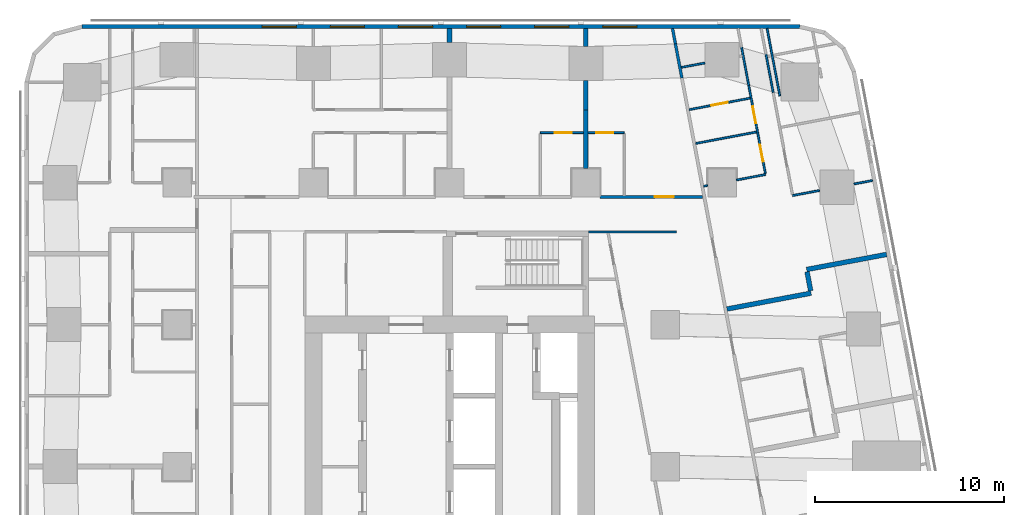
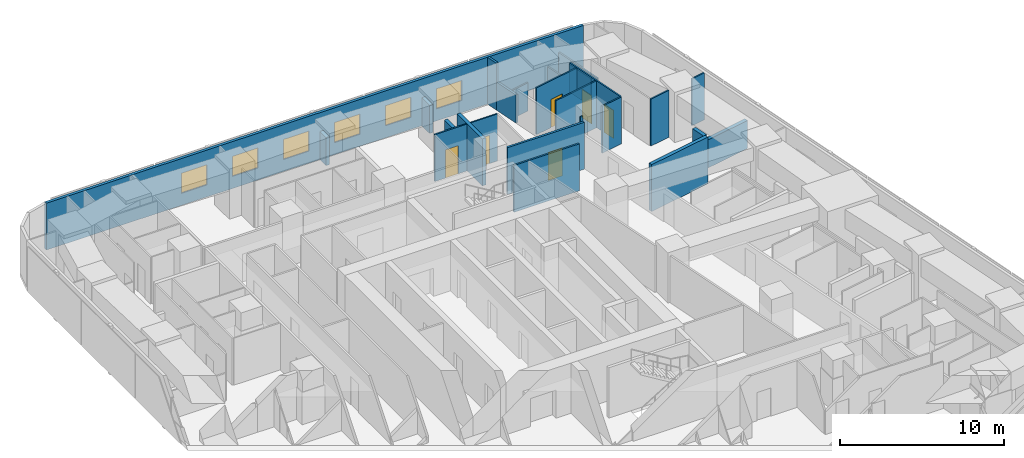
# One storey, part 10 of 15: 25 walls, 6 doors, 6 windows, 12 openings.
"""IFC4 building model written with IfcOpenShell, lengths in metres."""

import ifcopenshell
import ifcopenshell.guid

model = None  # the IFC model being written
_history = None  # IfcOwnerHistory: only IFC2X3 demands one
_inside = {}  # id of a spatial element -> (the spatial element, [elements in it])
_under = {}  # id of a project, library or spatial element -> (it, [spatial elements below it])
_declared = {}  # id of a project -> (the project, [libraries it declares])
_typed = {}  # id of a type object -> (the type object, [elements of that type])
_made_of = {}  # id of a material, layer set ... -> (it, [elements and type objects made of it])


def new_model(schema):
    """Start an empty IFC model of exactly this schema.

    Asked for "IFC4X3", IfcOpenShell would pick the latest addendum, in which some entities
    have other attributes; the version numbers below select the first issue.
    IFC2X3 requires an IfcOwnerHistory on every rooted entity: one is made here for all.
    """
    global model, _history
    if schema == "IFC4X3":
        model = ifcopenshell.file(schema_version=(4, 3, 0, 0))
    else:
        model = ifcopenshell.file(schema=schema)
    _inside.clear()
    _under.clear()
    _declared.clear()
    _typed.clear()
    _made_of.clear()
    _history = None
    if model.schema == "IFC2X3":
        org = make("IfcOrganization", Name="unknown")
        user = make(
            "IfcPersonAndOrganization",
            ThePerson=make("IfcPerson", FamilyName="unknown"),
            TheOrganization=org,
        )
        app = make(
            "IfcApplication",
            ApplicationDeveloper=org,
            Version="unknown",
            ApplicationFullName="unknown",
            ApplicationIdentifier="unknown",
        )
        _history = make(
            "IfcOwnerHistory",
            OwningUser=user,
            OwningApplication=app,
            ChangeAction="ADDED",
            CreationDate=0,
        )
    return model


def make(cls, **values):
    """One entity of the class cls with the attributes given. An attribute that is None is left unset."""
    return model.create_entity(
        cls, **{name: value for name, value in values.items() if value is not None}
    )


def rooted(cls, **values):
    """An entity with a GlobalId (a new one), such as an element, a storey or a relation."""
    return make(cls, GlobalId=ifcopenshell.guid.new(), OwnerHistory=_history, **values)


def si_unit(unit_type, name, prefix=None):
    """IfcSIUnit, for example si_unit("LENGTHUNIT", "METRE", prefix="MILLI")."""
    return make("IfcSIUnit", UnitType=unit_type, Prefix=prefix, Name=name)


def assignment(units):
    """IfcUnitAssignment: the units of a project."""
    return None if units is None else make("IfcUnitAssignment", Units=units)


def point(xyz):
    """IfcCartesianPoint."""
    return None if xyz is None else make("IfcCartesianPoint", Coordinates=xyz)


def direction(xyz):
    """IfcDirection."""
    return None if xyz is None else make("IfcDirection", DirectionRatios=xyz)


def frame(location, z_axis=None, x_axis=None):
    """IfcAxis2Placement3D, a coordinate frame: its origin and axes. An axis left out is left unset."""
    return make(
        "IfcAxis2Placement3D",
        Location=point(location),
        Axis=direction(z_axis),
        RefDirection=direction(x_axis),
    )


def frame_2d(location, x_axis=None):
    """IfcAxis2Placement2D, a coordinate frame in the plane: its origin and x axis."""
    return make(
        "IfcAxis2Placement2D", Location=point(location), RefDirection=direction(x_axis)
    )


def origin():
    """The frame at (0, 0, 0) with its axes left unset."""
    return frame((0.0, 0.0, 0.0))


def place(relative_to, where):
    """IfcLocalPlacement: puts the frame where relative to a parent placement (None: the world)."""
    return make(
        "IfcLocalPlacement", PlacementRelTo=relative_to, RelativePlacement=where
    )


def context(
    kind, dimensions, precision=None, world=None, true_north=None, identifier=None
):
    """IfcGeometricRepresentationContext, for example the 3D "Model" context."""
    return make(
        "IfcGeometricRepresentationContext",
        ContextIdentifier=identifier,
        ContextType=kind,
        CoordinateSpaceDimension=dimensions,
        Precision=precision,
        WorldCoordinateSystem=world,
        TrueNorth=true_north,
    )


def subcontext(parent, identifier, kind, view, scale=None):
    """IfcGeometricRepresentationSubContext, for example "Body" below "Model"."""
    return make(
        "IfcGeometricRepresentationSubContext",
        ContextIdentifier=identifier,
        ContextType=kind,
        ParentContext=parent,
        TargetScale=scale,
        TargetView=view,
    )


def project(units=None, contexts=None):
    """IfcProject with its units and contexts."""
    return rooted(
        "IfcProject",
        Name="project",
        RepresentationContexts=contexts,
        UnitsInContext=assignment(units),
    )


def spatial(cls, under=None, at=None, **own):
    """A site, building, storey or space (cls), placed at a placement, below another one or the project."""
    s = rooted(cls, ObjectPlacement=at, **own)
    if under is not None:
        _under.setdefault(under.id(), (under, []))[1].append(s)
    return s


def profile(cls, at=None, kind="AREA", **sizes):
    """A parametric profile (cls). Its sizes go by their IFC names, for example OverallWidth=200.0."""
    return make(cls, ProfileType=kind, Position=at, **sizes)


def rectangle(**sizes):
    """IfcRectangleProfileDef."""
    return profile("IfcRectangleProfileDef", **sizes)


def extrude(swept, where, along, depth):
    """IfcExtrudedAreaSolid: the profile swept, set in the frame where, extruded along a direction by depth."""
    return make(
        "IfcExtrudedAreaSolid",
        SweptArea=swept,
        Position=where,
        ExtrudedDirection=direction(along),
        Depth=depth,
    )


def shape(context_of_items, identifier, shape_type, items):
    """IfcShapeRepresentation: the items that make up one representation, for example the "Body"."""
    return make(
        "IfcShapeRepresentation",
        ContextOfItems=context_of_items,
        RepresentationIdentifier=identifier,
        RepresentationType=shape_type,
        Items=items,
    )


def material(Name=None, Category=None):
    """IfcMaterial."""
    return make("IfcMaterial", Name=Name, Category=Category)


def layer(
    of_material, thickness, ventilated=None, Name=None, Category=None, Priority=None
):
    """IfcMaterialLayer: one layer of a wall or slab, of a material (None: an air gap)."""
    return make(
        "IfcMaterialLayer",
        Material=of_material,
        LayerThickness=thickness,
        IsVentilated=ventilated,
        Name=Name,
        Category=Category,
        Priority=Priority,
    )


def layer_set(layers, Name=None):
    """IfcMaterialLayerSet."""
    return make("IfcMaterialLayerSet", MaterialLayers=layers, LayerSetName=Name)


def made_of(thing, what):
    """Note that an element or type object is made of a material, layer set ...; save() writes the relation."""
    if what is not None:
        _made_of.setdefault(what.id(), (what, []))[1].append(thing)
    return thing


def type_object(cls, material=None, **own):
    """A type object (cls), such as IfcWallType, which elements share."""
    return made_of(rooted(cls, **own), material)


def element(
    cls,
    number,
    at=None,
    inside=None,
    cuts=None,
    type_object=None,
    material=None,
    context=None,
    identifier="Body",
    shape_type=None,
    held_by="IfcProductDefinitionShape",
    body=None,
    shapes=None,
    **own,
):
    """One element of the class cls, such as IfcWall. Its Tag is "e" and its number.

    at: its placement. inside: the storey or other place that contains it. cuts: it is an
    opening in that element (IfcRelVoidsElement). A single representation is given by context,
    identifier, shape_type and body (its items); several are given by shapes. held_by: the class
    of the entity that holds the representations. save() writes the other relations.
    """
    e = rooted(cls, Tag="e%d" % number, ObjectPlacement=at, **own)
    if body is not None:
        shapes = [shape(context, identifier, shape_type, body)]
    if shapes is not None:
        e.Representation = make(held_by, Representations=shapes)
    if inside is not None:
        _inside.setdefault(inside.id(), (inside, []))[1].append(e)
    if cuts is not None:
        rooted(
            "IfcRelVoidsElement", RelatingBuildingElement=cuts, RelatedOpeningElement=e
        )
    if type_object is not None:
        _typed.setdefault(type_object.id(), (type_object, []))[1].append(e)
    return made_of(e, material)


def fill(opening, filler):
    """IfcRelFillsElement: the door or window that sits in an opening."""
    return rooted(
        "IfcRelFillsElement",
        RelatingOpeningElement=opening,
        RelatedBuildingElement=filler,
    )


def aggregate(whole, parts):
    """IfcRelAggregates: a whole, such as a stair, and the parts it consists of."""
    return rooted("IfcRelAggregates", RelatingObject=whole, RelatedObjects=parts)


def save(model, path):
    """Write the relations noted so far, then the file.

    IfcRelAggregates (storeys below a building ...), IfcRelContainedInSpatialStructure (elements
    in a storey), IfcRelDefinesByType, IfcRelAssociatesMaterial and IfcRelDeclares: one each for
    every whole, place, type object, material and project.
    """
    for whole, parts in _under.values():
        aggregate(whole, parts)
    for where, things in _inside.values():
        rooted(
            "IfcRelContainedInSpatialStructure",
            RelatedElements=things,
            RelatingStructure=where,
        )
    for kind, things in _typed.values():
        rooted("IfcRelDefinesByType", RelatedObjects=things, RelatingType=kind)
    for what, things in _made_of.values():
        rooted("IfcRelAssociatesMaterial", RelatedObjects=things, RelatingMaterial=what)
    for by, libraries in _declared.values():
        rooted("IfcRelDeclares", RelatingContext=by, RelatedDefinitions=libraries)
    model.write(path)


model = new_model("IFC4")

# Units and contexts
model_context = context("Model", 3, precision=1e-05, world=origin(), true_north=direction((0.0, 1.0)))
body_context = subcontext(model_context, "Body", "Model", "MODEL_VIEW")
ifc_project = project(units=[si_unit("LENGTHUNIT", "METRE"), si_unit("AREAUNIT", "SQUARE_METRE"), si_unit("VOLUMEUNIT", "CUBIC_METRE"), si_unit("PLANEANGLEUNIT", "RADIAN"), si_unit("MASSUNIT", "GRAM", prefix="KILO")], contexts=[model_context])

# Site, building, storey
site_placement = place(None, origin())
site = spatial("IfcSite", under=ifc_project, at=site_placement, CompositionType="ELEMENT")
building_placement = place(site_placement, origin())
building = spatial("IfcBuilding", under=site, at=building_placement, Name="Sheger Commons Tower", CompositionType="ELEMENT")
storey_placement = place(building_placement, frame((0.0, 0.0, 173.300048828125)))
storey = spatial("IfcBuildingStorey", under=building, at=storey_placement, Name="L44", CompositionType="ELEMENT", Elevation=173.300048828125)

# Wall, opening, door
ifc_material_1 = material(Name="Hollow concrete block masonry, skimmed both sides", Category="masonry")
ifc_layer_1 = layer(ifc_material_1, 0.14990234375)
ifc_layer_set_1 = layer_set([ifc_layer_1], Name="CORRIDOR WALL 150")
wall_type_1 = type_object("IfcWallType", Name="CORRIDOR WALL 150", PredefinedType="SOLIDWALL", material=ifc_layer_set_1)
wall_1_placement = place(storey_placement, frame((29.551025390625, 36.75, 0.0), z_axis=(0.0, 0.0, 1.0), x_axis=(1.0, 0.0, 0.0)))
wall_1 = element("IfcWall", 1, at=wall_1_placement, inside=storey, type_object=wall_type_1, Name="Corridor wall L44", PredefinedType="SOLIDWALL", context=body_context, shape_type="SweptSolid", body=[
    extrude(rectangle(XDim=5.421875, YDim=0.14990234375, at=frame_2d((2.7109375, 0.0))), origin(), (0.0, 0.0, 1.0), 3.5),
])
opening_1_placement = place(wall_1_placement, frame((2.89501953125, 0.0, 0.0)))
opening_1 = element("IfcOpeningElement", 2, at=opening_1_placement, cuts=wall_1, Name="Opening D1", PredefinedType="OPENING", context=body_context, shape_type="SweptSolid", body=[
    extrude(rectangle(XDim=1.0, YDim=2.10009765625, at=frame_2d((0.5, 1.050048828125))), frame((0.0, 0.0849609375, 0.0), z_axis=(0.0, -1.0, 0.0), x_axis=(1.0, 0.0, 0.0)), (0.0, 0.0, 1.0), 0.169921875),
])
ifc_material_2 = material(Name="Steel door set, fire rated", Category="steel")
door_type_1 = type_object("IfcDoorType", Name="FLAT ENTRANCE DOOR 1000x2100", OperationType="NOTDEFINED", PredefinedType="DOOR", material=ifc_material_2)
door_1_placement = place(opening_1_placement, origin())
door_1 = element("IfcDoor", 3, at=door_1_placement, inside=storey, type_object=door_type_1, Name="Flat entrance door", OperationType="SINGLE_SWING_RIGHT", OverallHeight=2.10009765625, OverallWidth=1.0, PredefinedType="DOOR", context=body_context, shape_type="SweptSolid", body=[
    extrude(rectangle(XDim=1.0, YDim=2.10009765625, at=frame_2d((0.5, 1.050048828125))), frame((0.0, 0.02490234375, 0.0), z_axis=(0.0, -1.0, 0.0), x_axis=(1.0, 0.0, 0.0)), (0.0, 0.0, 1.0), 0.050048828125),
])
fill(opening_1, door_1)

# Walls
wall_2_placement = place(storey_placement, frame((33.382080078125, 45.64990234375, 0.0), z_axis=(0.0, 0.0, 1.0), x_axis=(0.185169202764, -0.982706653253, 0.0)))
element("IfcWall", 4, at=wall_2_placement, inside=storey, type_object=wall_type_1, Name="Corridor wall L44", PredefinedType="SOLIDWALL", context=body_context, shape_type="SweptSolid", body=[
    extrude(rectangle(XDim=0.820068359375, YDim=0.14990234375, at=frame_2d((0.41015625, 0.0))), origin(), (0.0, 0.0, 1.0), 3.5),
])
wall_3_placement = place(storey_placement, frame((33.533935546875, 44.843994140625, 0.0), z_axis=(0.0, 0.0, 1.0), x_axis=(0.185708872674, -0.982604811005, 0.0)))
element("IfcWall", 5, at=wall_3_placement, inside=storey, type_object=wall_type_1, Name="Corridor wall L44", PredefinedType="SOLIDWALL", context=body_context, shape_type="SweptSolid", body=[
    extrude(rectangle(XDim=1.84716796875, YDim=0.14990234375, at=frame_2d((0.923583984375, 0.0))), origin(), (0.0, 0.0, 1.0), 2.099853515625),
])
ifc_material_3 = material(Name="Dense concrete block masonry, plastered both sides (separating wall between flats)", Category="masonry")
ifc_layer_2 = layer(ifc_material_3, 0.25)
ifc_layer_set_2 = layer_set([ifc_layer_2], Name="DEMISING WALL 250")
wall_type_2 = type_object("IfcWallType", Name="DEMISING WALL 250", PredefinedType="SOLIDWALL", material=ifc_layer_set_2)
wall_4_placement = place(storey_placement, frame((44.693115234375, 33.712890625, 0.0), z_axis=(0.0, 0.0, 1.0), x_axis=(-0.982633535512, -0.185556823879, 0.0)))
element("IfcWall", 6, at=wall_4_placement, inside=storey, type_object=wall_type_2, Name="Demising wall L44", PredefinedType="SOLIDWALL", context=body_context, shape_type="SweptSolid", body=[
    extrude(rectangle(XDim=4.2998046875, YDim=0.25, at=frame_2d((2.14990234375, 0.0))), origin(), (0.0, 0.0, 1.0), 2.099853515625),
])
wall_5_placement = place(storey_placement, frame((40.7041015625, 31.666015625, 0.0), z_axis=(0.0, 0.0, 1.0), x_axis=(-0.982612837616, -0.185666398014, 0.0)))
element("IfcWall", 7, at=wall_5_placement, inside=storey, type_object=wall_type_2, Name="Demising wall L44", PredefinedType="SOLIDWALL", context=body_context, shape_type="SweptSolid", body=[
    extrude(rectangle(XDim=4.524658203125, YDim=0.25, at=frame_2d((2.26220703125, 0.0))), origin(), (0.0, 0.0, 1.0), 3.5),
])
wall_6_placement = place(storey_placement, frame((40.490966796875, 32.7919921875, 0.0), z_axis=(0.0, 0.0, 1.0), x_axis=(0.18607888991, -0.982534806879, 0.0)))
element("IfcWall", 8, at=wall_6_placement, inside=storey, type_object=wall_type_2, Name="Demising wall L44", PredefinedType="SOLIDWALL", context=body_context, shape_type="SweptSolid", body=[
    extrude(rectangle(XDim=1.020751953125, YDim=0.25, at=frame_2d((0.51025390625, 0.0))), origin(), (0.0, 0.0, 1.0), 3.5),
])
wall_7_placement = place(storey_placement, frame((21.60009765625, 44.90087890625, 0.0), z_axis=(0.0, 0.0, 1.0), x_axis=(0.0, 1.0, 0.0)))
element("IfcWall", 9, at=wall_7_placement, inside=storey, type_object=wall_type_2, Name="Demising wall L44", PredefinedType="SOLIDWALL", context=body_context, shape_type="SweptSolid", body=[
    extrude(rectangle(XDim=0.7490234375, YDim=0.25, at=frame_2d((0.37451171875, 0.0))), origin(), (0.0, 0.0, 1.0), 2.099853515625),
])
wall_8_placement = place(storey_placement, frame((28.800048828125, 41.35009765625, 0.0), z_axis=(0.0, 0.0, 1.0), x_axis=(0.0, 1.0, 0.0)))
element("IfcWall", 10, at=wall_8_placement, inside=storey, type_object=wall_type_2, Name="Demising wall L44", PredefinedType="SOLIDWALL", context=body_context, shape_type="SweptSolid", body=[
    extrude(rectangle(XDim=1.548828125, YDim=0.25, at=frame_2d((0.7744140625, 0.0))), origin(), (0.0, 0.0, 1.0), 2.099853515625),
])
wall_9_placement = place(storey_placement, frame((28.800048828125, 44.700927734375, 0.0), z_axis=(0.0, 0.0, 1.0), x_axis=(0.0, 1.0, 0.0)))
element("IfcWall", 11, at=wall_9_placement, inside=storey, type_object=wall_type_2, Name="Demising wall L44", PredefinedType="SOLIDWALL", context=body_context, shape_type="SweptSolid", body=[
    extrude(rectangle(XDim=0.948974609375, YDim=0.25, at=frame_2d((0.474609375, 0.0))), origin(), (0.0, 0.0, 1.0), 2.099853515625),
])
wall_10_placement = place(storey_placement, frame((28.800048828125, 38.2509765625, 0.0), z_axis=(0.0, 0.0, 1.0), x_axis=(0.0, 1.0, 0.0)))
element("IfcWall", 12, at=wall_10_placement, inside=storey, type_object=wall_type_2, Name="Demising wall L44", PredefinedType="SOLIDWALL", context=body_context, shape_type="SweptSolid", body=[
    extrude(rectangle(XDim=3.09912109375, YDim=0.25, at=frame_2d((1.549560546875, 0.0))), origin(), (0.0, 0.0, 1.0), 3.5),
])

# Wall, openings, windows
ifc_material_4 = material(Name="Rendered concrete block masonry, dark grey", Category="masonry")
ifc_layer_3 = layer(ifc_material_4, 0.199951171875)
ifc_layer_set_3 = layer_set([ifc_layer_3], Name="FACADE WALL 200")
wall_type_3 = type_object("IfcWallType", Name="FACADE WALL 200", PredefinedType="SOLIDWALL", material=ifc_layer_set_3)
wall_11_placement = place(storey_placement, frame((40.10595703125, 45.75, 0.0), z_axis=(0.0, 0.0, 1.0), x_axis=(-1.0, 0.0, 0.0)))
wall_11 = element("IfcWall", 13, at=wall_11_placement, inside=storey, type_object=wall_type_3, Name="Facade wall L44", PredefinedType="SOLIDWALL", context=body_context, shape_type="SweptSolid", body=[
    extrude(rectangle(XDim=37.94287109375, YDim=0.199951171875, at=frame_2d((18.971435546875, 0.0))), origin(), (0.0, 0.0, 1.0), 3.5),
])
opening_2_placement = place(wall_11_placement, frame((8.60595703125, 0.0, 0.89990234375)))
opening_2 = element("IfcOpeningElement", 14, at=opening_2_placement, cuts=wall_11, Name="Opening W2", PredefinedType="OPENING", context=body_context, shape_type="SweptSolid", body=[
    extrude(rectangle(XDim=1.800048828125, YDim=1.5, at=frame_2d((0.89990234375, 0.75))), frame((0.0, 0.10986328125, 0.0), z_axis=(0.0, -1.0, 0.0), x_axis=(1.0, 0.0, 0.0)), (0.0, 0.0, 1.0), 0.219970703125),
])
opening_3_placement = place(wall_11_placement, frame((12.2060546875, 0.0, 0.89990234375)))
opening_3 = element("IfcOpeningElement", 15, at=opening_3_placement, cuts=wall_11, Name="Opening W2", PredefinedType="OPENING", context=body_context, shape_type="SweptSolid", body=[
    extrude(rectangle(XDim=1.800048828125, YDim=1.5, at=frame_2d((0.89990234375, 0.75))), frame((0.0, 0.10986328125, 0.0), z_axis=(0.0, -1.0, 0.0), x_axis=(1.0, 0.0, 0.0)), (0.0, 0.0, 1.0), 0.219970703125),
])
opening_4_placement = place(wall_11_placement, frame((15.805908203125, 0.0, 0.89990234375)))
opening_4 = element("IfcOpeningElement", 16, at=opening_4_placement, cuts=wall_11, Name="Opening W2", PredefinedType="OPENING", context=body_context, shape_type="SweptSolid", body=[
    extrude(rectangle(XDim=1.800048828125, YDim=1.5, at=frame_2d((0.89990234375, 0.75))), frame((0.0, 0.10986328125, 0.0), z_axis=(0.0, -1.0, 0.0), x_axis=(1.0, 0.0, 0.0)), (0.0, 0.0, 1.0), 0.219970703125),
])
opening_5_placement = place(wall_11_placement, frame((19.406005859375, 0.0, 0.89990234375)))
opening_5 = element("IfcOpeningElement", 17, at=opening_5_placement, cuts=wall_11, Name="Opening W2", PredefinedType="OPENING", context=body_context, shape_type="SweptSolid", body=[
    extrude(rectangle(XDim=1.800048828125, YDim=1.5, at=frame_2d((0.89990234375, 0.75))), frame((0.0, 0.10986328125, 0.0), z_axis=(0.0, -1.0, 0.0), x_axis=(1.0, 0.0, 0.0)), (0.0, 0.0, 1.0), 0.219970703125),
])
opening_6_placement = place(wall_11_placement, frame((23.006103515625, 0.0, 0.89990234375)))
opening_6 = element("IfcOpeningElement", 18, at=opening_6_placement, cuts=wall_11, Name="Opening W2", PredefinedType="OPENING", context=body_context, shape_type="SweptSolid", body=[
    extrude(rectangle(XDim=1.800048828125, YDim=1.5, at=frame_2d((0.89990234375, 0.75))), frame((0.0, 0.10986328125, 0.0), z_axis=(0.0, -1.0, 0.0), x_axis=(1.0, 0.0, 0.0)), (0.0, 0.0, 1.0), 0.219970703125),
])
opening_7_placement = place(wall_11_placement, frame((26.60595703125, 0.0, 0.89990234375)))
opening_7 = element("IfcOpeningElement", 19, at=opening_7_placement, cuts=wall_11, Name="Opening W2", PredefinedType="OPENING", context=body_context, shape_type="SweptSolid", body=[
    extrude(rectangle(XDim=1.800048828125, YDim=1.5, at=frame_2d((0.89990234375, 0.75))), frame((0.0, 0.10986328125, 0.0), z_axis=(0.0, -1.0, 0.0), x_axis=(1.0, 0.0, 0.0)), (0.0, 0.0, 1.0), 0.219970703125),
])
ifc_material_5 = material(Name="Black aluminium frame, dark tinted double glazing", Category="aluminium")
window_type = type_object("IfcWindowType", Name="WINDOW W2 1800x1500", PartitioningType="SINGLE_PANEL", PredefinedType="WINDOW", material=ifc_material_5)
window_1_placement = place(opening_2_placement, origin())
window_1 = element("IfcWindow", 20, at=window_1_placement, inside=storey, type_object=window_type, Name="Window W2 1800X1500", OverallHeight=1.5, OverallWidth=1.800048828125, PartitioningType="SINGLE_PANEL", PredefinedType="WINDOW", context=body_context, shape_type="SweptSolid", body=[
    extrude(rectangle(XDim=1.800048828125, YDim=1.5, at=frame_2d((0.89990234375, 0.75))), frame((0.0, 0.030029296875, 0.0), z_axis=(0.0, -1.0, 0.0), x_axis=(1.0, 0.0, 0.0)), (0.0, 0.0, 1.0), 0.06005859375),
])
fill(opening_2, window_1)
window_2_placement = place(opening_3_placement, origin())
window_2 = element("IfcWindow", 21, at=window_2_placement, inside=storey, type_object=window_type, Name="Window W2 1800X1500", OverallHeight=1.5, OverallWidth=1.800048828125, PartitioningType="SINGLE_PANEL", PredefinedType="WINDOW", context=body_context, shape_type="SweptSolid", body=[
    extrude(rectangle(XDim=1.800048828125, YDim=1.5, at=frame_2d((0.89990234375, 0.75))), frame((0.0, 0.030029296875, 0.0), z_axis=(0.0, -1.0, 0.0), x_axis=(1.0, 0.0, 0.0)), (0.0, 0.0, 1.0), 0.06005859375),
])
fill(opening_3, window_2)
window_3_placement = place(opening_4_placement, origin())
window_3 = element("IfcWindow", 22, at=window_3_placement, inside=storey, type_object=window_type, Name="Window W2 1800X1500", OverallHeight=1.5, OverallWidth=1.800048828125, PartitioningType="SINGLE_PANEL", PredefinedType="WINDOW", context=body_context, shape_type="SweptSolid", body=[
    extrude(rectangle(XDim=1.800048828125, YDim=1.5, at=frame_2d((0.89990234375, 0.75))), frame((0.0, 0.030029296875, 0.0), z_axis=(0.0, -1.0, 0.0), x_axis=(1.0, 0.0, 0.0)), (0.0, 0.0, 1.0), 0.06005859375),
])
fill(opening_4, window_3)
window_4_placement = place(opening_5_placement, origin())
window_4 = element("IfcWindow", 23, at=window_4_placement, inside=storey, type_object=window_type, Name="Window W2 1800X1500", OverallHeight=1.5, OverallWidth=1.800048828125, PartitioningType="SINGLE_PANEL", PredefinedType="WINDOW", context=body_context, shape_type="SweptSolid", body=[
    extrude(rectangle(XDim=1.800048828125, YDim=1.5, at=frame_2d((0.89990234375, 0.75))), frame((0.0, 0.030029296875, 0.0), z_axis=(0.0, -1.0, 0.0), x_axis=(1.0, 0.0, 0.0)), (0.0, 0.0, 1.0), 0.06005859375),
])
fill(opening_5, window_4)
window_5_placement = place(opening_6_placement, origin())
window_5 = element("IfcWindow", 24, at=window_5_placement, inside=storey, type_object=window_type, Name="Window W2 1800X1500", OverallHeight=1.5, OverallWidth=1.800048828125, PartitioningType="SINGLE_PANEL", PredefinedType="WINDOW", context=body_context, shape_type="SweptSolid", body=[
    extrude(rectangle(XDim=1.800048828125, YDim=1.5, at=frame_2d((0.89990234375, 0.75))), frame((0.0, 0.030029296875, 0.0), z_axis=(0.0, -1.0, 0.0), x_axis=(1.0, 0.0, 0.0)), (0.0, 0.0, 1.0), 0.06005859375),
])
fill(opening_6, window_5)
window_6_placement = place(opening_7_placement, origin())
window_6 = element("IfcWindow", 25, at=window_6_placement, inside=storey, type_object=window_type, Name="Window W2 1800X1500", OverallHeight=1.5, OverallWidth=1.800048828125, PartitioningType="SINGLE_PANEL", PredefinedType="WINDOW", context=body_context, shape_type="SweptSolid", body=[
    extrude(rectangle(XDim=1.800048828125, YDim=1.5, at=frame_2d((0.89990234375, 0.75))), frame((0.0, 0.030029296875, 0.0), z_axis=(0.0, -1.0, 0.0), x_axis=(1.0, 0.0, 0.0)), (0.0, 0.0, 1.0), 0.06005859375),
])
fill(opening_7, window_6)

# Walls
ifc_material_6 = material(Name="Gypsum board on steel studs", Category="steel")
ifc_layer_4 = layer(ifc_material_6, 0.10009765625)
ifc_layer_set_4 = layer_set([ifc_layer_4], Name="PARTITION 100")
wall_type_4 = type_object("IfcWallType", Name="PARTITION 100", PredefinedType="PARTITIONING", material=ifc_layer_set_4)
wall_12_placement = place(storey_placement, frame((39.053955078125, 42.0849609375, 0.0), z_axis=(0.0, 0.0, 1.0), x_axis=(-0.185791584218, 0.982589175207, 0.0)))
element("IfcWall", 26, at=wall_12_placement, inside=storey, type_object=wall_type_4, Name="Partition L44", PredefinedType="PARTITIONING", context=body_context, shape_type="SweptSolid", body=[
    extrude(rectangle(XDim=3.628173828125, YDim=0.10009765625, at=frame_2d((1.81396484375, 0.0))), origin(), (0.0, 0.0, 1.0), 2.099853515625),
])
wall_13_placement = place(storey_placement, frame((38.318115234375, 44.298095703125, 0.0), z_axis=(0.0, 0.0, 1.0), x_axis=(0.185481135188, -0.982647825261, 0.0)))
element("IfcWall", 27, at=wall_13_placement, inside=storey, type_object=wall_type_4, Name="Partition L44", PredefinedType="PARTITIONING", context=body_context, shape_type="SweptSolid", body=[
    extrude(rectangle(XDim=2.06396484375, YDim=0.10009765625, at=frame_2d((1.031982421875, 0.0))), origin(), (0.0, 0.0, 1.0), 2.099853515625),
])
wall_14_placement = place(storey_placement, frame((37.027099609375, 44.666015625, 0.0), z_axis=(0.0, 0.0, 1.0), x_axis=(0.1855674151, -0.982631535446, 0.0)))
element("IfcWall", 28, at=wall_14_placement, inside=storey, type_object=wall_type_4, Name="Partition L44", PredefinedType="PARTITIONING", context=body_context, shape_type="SweptSolid", body=[
    extrude(rectangle(XDim=2.06298828125, YDim=0.10009765625, at=frame_2d((1.031494140625, 0.0))), origin(), (0.0, 0.0, 1.0), 2.099853515625),
])

# Wall, openings, doors
wall_15_placement = place(storey_placement, frame((37.409912109375, 42.638916015625, 0.0), z_axis=(0.0, 0.0, 1.0), x_axis=(0.185579683022, -0.982629218601, 0.0)))
wall_15 = element("IfcWall", 29, at=wall_15_placement, inside=storey, type_object=wall_type_4, Name="Partition L44", PredefinedType="PARTITIONING", context=body_context, shape_type="SweptSolid", body=[
    extrude(rectangle(XDim=4.7373046875, YDim=0.10009765625, at=frame_2d((2.36865234375, 0.0))), origin(), (0.0, 0.0, 1.0), 3.5),
])
opening_8_placement = place(wall_15_placement, frame((3.18896484375, 0.0, 0.0)))
opening_8 = element("IfcOpeningElement", 30, at=opening_8_placement, cuts=wall_15, Name="Opening D2", PredefinedType="OPENING", context=body_context, shape_type="SweptSolid", body=[
    extrude(rectangle(XDim=0.89990234375, YDim=2.10009765625, at=frame_2d((0.449951171875, 1.050048828125))), frame((0.0, 0.06005859375, 0.0), z_axis=(0.0, -1.0, 0.0), x_axis=(1.0, 0.0, 0.0)), (0.0, 0.0, 1.0), 0.1201171875),
])
opening_9_placement = place(wall_15_placement, frame((1.131103515625, 0.0, 0.0)))
opening_9 = element("IfcOpeningElement", 31, at=opening_9_placement, cuts=wall_15, Name="Opening D2", PredefinedType="OPENING", context=body_context, shape_type="SweptSolid", body=[
    extrude(rectangle(XDim=0.89990234375, YDim=2.10009765625, at=frame_2d((0.449951171875, 1.050048828125))), frame((0.0, 0.06005859375, 0.0), z_axis=(0.0, -1.0, 0.0), x_axis=(1.0, 0.0, 0.0)), (0.0, 0.0, 1.0), 0.1201171875),
])
ifc_material_7 = material(Name="Timber door set", Category="wood")
door_type_2 = type_object("IfcDoorType", Name="INTERNAL DOOR 900x2100", OperationType="NOTDEFINED", PredefinedType="DOOR", material=ifc_material_7)
door_2_placement = place(opening_8_placement, origin())
door_2 = element("IfcDoor", 32, at=door_2_placement, inside=storey, type_object=door_type_2, Name="Bathroom door", OperationType="SINGLE_SWING_LEFT", OverallHeight=2.10009765625, OverallWidth=0.89990234375, PredefinedType="DOOR", context=body_context, shape_type="SweptSolid", body=[
    extrude(rectangle(XDim=0.89990234375, YDim=2.10009765625, at=frame_2d((0.449951171875, 1.050048828125))), frame((0.0, 0.02490234375, 0.0), z_axis=(0.0, -1.0, 0.0), x_axis=(1.0, 0.0, 0.0)), (0.0, 0.0, 1.0), 0.050048828125),
])
fill(opening_8, door_2)
door_3_placement = place(opening_9_placement, origin())
door_3 = element("IfcDoor", 33, at=door_3_placement, inside=storey, type_object=door_type_2, Name="Laundry room door", OperationType="SINGLE_SWING_RIGHT", OverallHeight=2.10009765625, OverallWidth=0.89990234375, PredefinedType="DOOR", context=body_context, shape_type="SweptSolid", body=[
    extrude(rectangle(XDim=0.89990234375, YDim=2.10009765625, at=frame_2d((0.449951171875, 1.050048828125))), frame((0.0, 0.02490234375, 0.0), z_axis=(0.0, -1.0, 0.0), x_axis=(1.0, 0.0, 0.0)), (0.0, 0.0, 1.0), 0.050048828125),
])
fill(opening_9, door_3)

# Walls
wall_16_placement = place(storey_placement, frame((43.955078125, 37.6201171875, 0.0), z_axis=(0.0, 0.0, 1.0), x_axis=(-0.982666697719, -0.185381124159, 0.0)))
element("IfcWall", 34, at=wall_16_placement, inside=storey, type_object=wall_type_4, Name="Partition L44", PredefinedType="PARTITIONING", context=body_context, shape_type="SweptSolid", body=[
    extrude(rectangle(XDim=0.998291015625, YDim=0.10009765625, at=frame_2d((0.4990234375, 0.0))), origin(), (0.0, 0.0, 1.0), 3.5),
])
wall_17_placement = place(storey_placement, frame((41.154052734375, 37.091064453125, 0.0), z_axis=(0.0, 0.0, 1.0), x_axis=(-0.982617614942, -0.185641112921, 0.0)))
element("IfcWall", 35, at=wall_17_placement, inside=storey, type_object=wall_type_4, Name="Partition L44", PredefinedType="PARTITIONING", context=body_context, shape_type="SweptSolid", body=[
    extrude(rectangle(XDim=1.44921875, YDim=0.10009765625, at=frame_2d((0.724609375, 0.0))), origin(), (0.0, 0.0, 1.0), 3.5),
])
wall_18_placement = place(storey_placement, frame((35.090087890625, 43.827880859375, 0.0), z_axis=(0.0, 0.0, 1.0), x_axis=(-0.982758384778, -0.184894448668, 0.0)))
element("IfcWall", 36, at=wall_18_placement, inside=storey, type_object=wall_type_4, Name="Partition L44", PredefinedType="PARTITIONING", context=body_context, shape_type="SweptSolid", body=[
    extrude(rectangle(XDim=1.264892578125, YDim=0.10009765625, at=frame_2d((0.63232421875, 0.0))), origin(), (0.0, 0.0, 1.0), 2.099853515625),
])
wall_19_placement = place(storey_placement, frame((37.822998046875, 40.181884765625, 0.0), z_axis=(0.0, 0.0, 1.0), x_axis=(-0.982664729897, -0.18539155487, 0.0)))
element("IfcWall", 37, at=wall_19_placement, inside=storey, type_object=wall_type_4, Name="Partition L44", PredefinedType="PARTITIONING", context=body_context, shape_type="SweptSolid", body=[
    extrude(rectangle(XDim=3.273681640625, YDim=0.10009765625, at=frame_2d((1.63671875, 0.0))), origin(), (0.0, 0.0, 1.0), 3.5),
])
wall_20_placement = place(storey_placement, frame((38.299072265625, 37.93505859375, 0.0), z_axis=(0.0, 0.0, 1.0), x_axis=(-0.98258870752, -0.18579405764, 0.0)))
element("IfcWall", 38, at=wall_20_placement, inside=storey, type_object=wall_type_4, Name="Partition L44", PredefinedType="PARTITIONING", context=body_context, shape_type="SweptSolid", body=[
    extrude(rectangle(XDim=1.56640625, YDim=0.10009765625, at=frame_2d((0.783203125, 0.0))), origin(), (0.0, 0.0, 1.0), 3.5),
])
wall_21_placement = place(storey_placement, frame((35.239990234375, 37.35595703125, 0.0), z_axis=(0.0, 0.0, 1.0), x_axis=(-0.982819911474, -0.184567119526, 0.0)))
element("IfcWall", 39, at=wall_21_placement, inside=storey, type_object=wall_type_4, Name="Partition L44", PredefinedType="PARTITIONING", context=body_context, shape_type="SweptSolid", body=[
    extrude(rectangle(XDim=0.211669921875, YDim=0.10009765625, at=frame_2d((0.10595703125, 0.0))), origin(), (0.0, 0.0, 1.0), 3.5),
])

# Wall, opening, door
wall_22_placement = place(storey_placement, frame((37.485107421875, 41.970947265625, 0.0), z_axis=(0.0, 0.0, 1.0), x_axis=(-0.982610347627, -0.185679575441, 0.0)))
wall_22 = element("IfcWall", 40, at=wall_22_placement, inside=storey, type_object=wall_type_4, Name="Partition L44", PredefinedType="PARTITIONING", context=body_context, shape_type="SweptSolid", body=[
    extrude(rectangle(XDim=3.27392578125, YDim=0.10009765625, at=frame_2d((1.636962890625, 0.0))), origin(), (0.0, 0.0, 1.0), 3.5),
])
opening_10_placement = place(wall_22_placement, frame((1.199951171875, 0.0, 0.0)))
opening_10 = element("IfcOpeningElement", 41, at=opening_10_placement, cuts=wall_22, Name="Opening D2", PredefinedType="OPENING", context=body_context, shape_type="SweptSolid", body=[
    extrude(rectangle(XDim=0.89990234375, YDim=2.10009765625, at=frame_2d((0.449951171875, 1.050048828125))), frame((0.0, 0.06005859375, 0.0), z_axis=(0.0, -1.0, 0.0), x_axis=(1.0, 0.0, 0.0)), (0.0, 0.0, 1.0), 0.1201171875),
])
door_4_placement = place(opening_10_placement, origin())
door_4 = element("IfcDoor", 42, at=door_4_placement, inside=storey, type_object=door_type_2, Name="Store door", OperationType="SINGLE_SWING_LEFT", OverallHeight=2.10009765625, OverallWidth=0.89990234375, PredefinedType="DOOR", context=body_context, shape_type="SweptSolid", body=[
    extrude(rectangle(XDim=0.89990234375, YDim=2.10009765625, at=frame_2d((0.449951171875, 1.050048828125))), frame((0.0, 0.02490234375, 0.0), z_axis=(0.0, -1.0, 0.0), x_axis=(1.0, 0.0, 0.0)), (0.0, 0.0, 1.0), 0.050048828125),
])
fill(opening_10, door_4)

wall_23_placement = place(storey_placement, frame((26.39892578125, 40.14990234375, 0.0), z_axis=(0.0, 0.0, 1.0), x_axis=(1.0, 0.0, 0.0)))
wall_23 = element("IfcWall", 43, at=wall_23_placement, inside=storey, type_object=wall_type_4, Name="Partition L44", PredefinedType="PARTITIONING", context=body_context, shape_type="SweptSolid", body=[
    extrude(rectangle(XDim=2.276123046875, YDim=0.10009765625, at=frame_2d((1.13818359375, 0.0))), origin(), (0.0, 0.0, 1.0), 3.5),
])
opening_11_placement = place(wall_23_placement, frame((0.75, 0.0, 0.0)))
opening_11 = element("IfcOpeningElement", 44, at=opening_11_placement, cuts=wall_23, Name="Opening D2", PredefinedType="OPENING", context=body_context, shape_type="SweptSolid", body=[
    extrude(rectangle(XDim=0.89990234375, YDim=2.10009765625, at=frame_2d((0.449951171875, 1.050048828125))), frame((0.0, 0.06005859375, 0.0), z_axis=(0.0, -1.0, 0.0), x_axis=(1.0, 0.0, 0.0)), (0.0, 0.0, 1.0), 0.1201171875),
])
door_5_placement = place(opening_11_placement, origin())
door_5 = element("IfcDoor", 45, at=door_5_placement, inside=storey, type_object=door_type_2, Name="Bathroom door", OperationType="SINGLE_SWING_LEFT", OverallHeight=2.10009765625, OverallWidth=0.89990234375, PredefinedType="DOOR", context=body_context, shape_type="SweptSolid", body=[
    extrude(rectangle(XDim=0.89990234375, YDim=2.10009765625, at=frame_2d((0.449951171875, 1.050048828125))), frame((0.0, 0.02490234375, 0.0), z_axis=(0.0, -1.0, 0.0), x_axis=(1.0, 0.0, 0.0)), (0.0, 0.0, 1.0), 0.050048828125),
])
fill(opening_11, door_5)

wall_24_placement = place(storey_placement, frame((28.925048828125, 40.14990234375, 0.0), z_axis=(0.0, 0.0, 1.0), x_axis=(1.0, 0.0, 0.0)))
wall_24 = element("IfcWall", 46, at=wall_24_placement, inside=storey, type_object=wall_type_4, Name="Partition L44", PredefinedType="PARTITIONING", context=body_context, shape_type="SweptSolid", body=[
    extrude(rectangle(XDim=1.904052734375, YDim=0.10009765625, at=frame_2d((0.9521484375, 0.0))), origin(), (0.0, 0.0, 1.0), 3.5),
])
opening_12_placement = place(wall_24_placement, frame((0.425048828125, 0.0, 0.0)))
opening_12 = element("IfcOpeningElement", 47, at=opening_12_placement, cuts=wall_24, Name="Opening D2", PredefinedType="OPENING", context=body_context, shape_type="SweptSolid", body=[
    extrude(rectangle(XDim=0.89990234375, YDim=2.10009765625, at=frame_2d((0.449951171875, 1.050048828125))), frame((0.0, 0.06005859375, 0.0), z_axis=(0.0, -1.0, 0.0), x_axis=(1.0, 0.0, 0.0)), (0.0, 0.0, 1.0), 0.1201171875),
])
door_6_placement = place(opening_12_placement, origin())
door_6 = element("IfcDoor", 48, at=door_6_placement, inside=storey, type_object=door_type_2, Name="Shower room door", OperationType="SINGLE_SWING_RIGHT", OverallHeight=2.10009765625, OverallWidth=0.89990234375, PredefinedType="DOOR", context=body_context, shape_type="SweptSolid", body=[
    extrude(rectangle(XDim=0.89990234375, YDim=2.10009765625, at=frame_2d((0.449951171875, 1.050048828125))), frame((0.0, 0.02490234375, 0.0), z_axis=(0.0, -1.0, 0.0), x_axis=(1.0, 0.0, 0.0)), (0.0, 0.0, 1.0), 0.050048828125),
])
fill(opening_12, door_6)

# Wall
ifc_material_8 = material(Name="Gypsum board on steel studs, two layers each side, fire rated", Category="steel")
ifc_layer_5 = layer(ifc_material_8, 0.125)
ifc_layer_set_5 = layer_set([ifc_layer_5], Name="SERVICE WALL 125")
wall_type_5 = type_object("IfcWallType", Name="SERVICE WALL 125", PredefinedType="PARTITIONING", material=ifc_layer_set_5)
wall_25_placement = place(storey_placement, frame((28.949951171875, 34.89990234375, 0.0), z_axis=(0.0, 0.0, 1.0), x_axis=(1.0, 0.0, 0.0)))
element("IfcWall", 49, at=wall_25_placement, inside=storey, type_object=wall_type_5, Name="Service room wall L44", PredefinedType="PARTITIONING", context=body_context, shape_type="SweptSolid", body=[
    extrude(rectangle(XDim=4.630126953125, YDim=0.125, at=frame_2d((2.31494140625, 0.0))), origin(), (0.0, 0.0, 1.0), 3.5),
])

save(model, "model.ifc")
